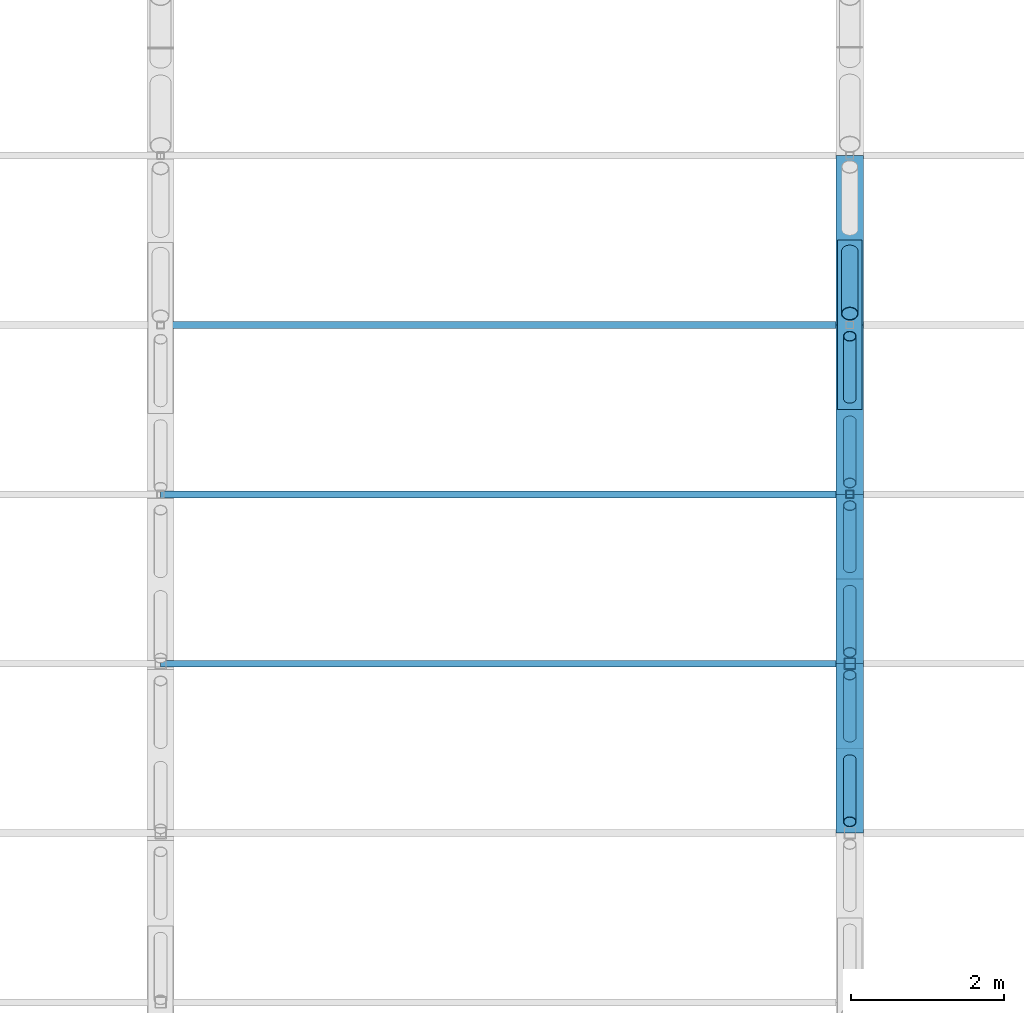
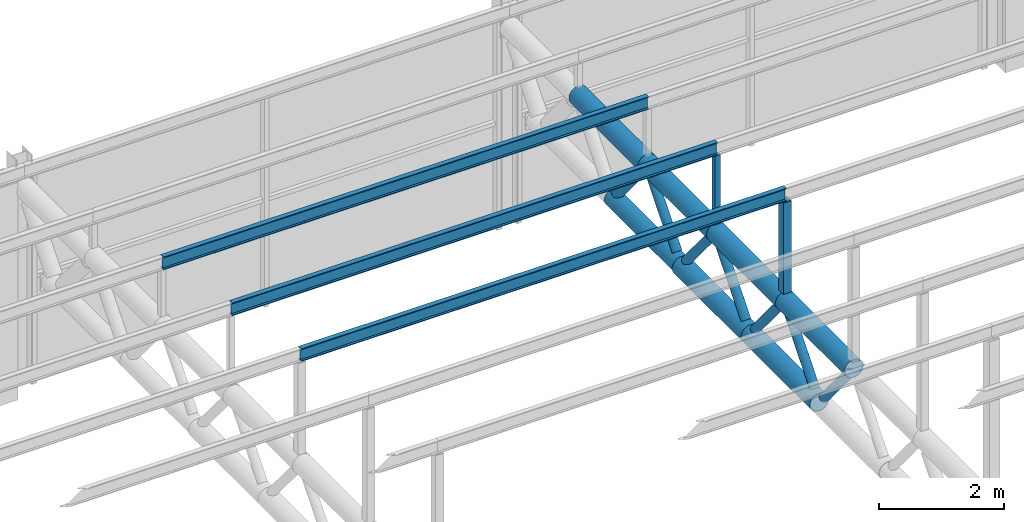
# One storey, part 75 of 138: 19 members.
"""IFC4 building model written with IfcOpenShell, lengths in metres."""

from ifc_helpers import new_model, si_unit, direction, frame, origin, origin_2d, place, context, subcontext, project, spatial, hollow_rectangle, hollow_circle, i_section, extrude, material, material_profile, profile_set, type_object, element, save


model = new_model("IFC4")

# Units and contexts
model_context = context("Model", 3, precision=1e-05, world=origin(), true_north=direction((0.0, 1.0)))
body_context = subcontext(model_context, "Body", "Model", "MODEL_VIEW")
ifc_project = project(units=[si_unit("LENGTHUNIT", "METRE"), si_unit("AREAUNIT", "SQUARE_METRE"), si_unit("VOLUMEUNIT", "CUBIC_METRE"), si_unit("PLANEANGLEUNIT", "RADIAN"), si_unit("MASSUNIT", "GRAM", prefix="KILO")], contexts=[model_context])

# Site, building, storey
site_placement = place(None, origin())
site = spatial("IfcSite", under=ifc_project, at=site_placement, CompositionType="ELEMENT")
building_placement = place(site_placement, origin())
building = spatial("IfcBuilding", under=site, at=building_placement, Name="Corbel Yard City Hall", CompositionType="ELEMENT")
storey_placement = place(building_placement, frame((0.0, 0.0, 10.5)))
storey = spatial("IfcBuildingStorey", under=building, at=storey_placement, Name="L02", CompositionType="ELEMENT", Elevation=10.5)

# Members
ifc_material_1 = material(Name="Steel Grade C350L0", Category="steel")
ifc_material_profile_1 = material_profile(ifc_material_1, hollow_circle(Radius=0.161865234375, WallThickness=0.0126953125, at=origin_2d()), Name="323.9x12.7CHS")
ifc_profile_set_1 = profile_set([ifc_material_profile_1], Name="Steel Grade C350L0")
member_type_1 = type_object("IfcMemberType", Name="Hall roof truss bottom chord 323.9x12.7CHS", PredefinedType="CHORD", material=ifc_profile_set_1)
member_1_placement = place(storey_placement, frame((135.0, 21.31787109375, 2.59228515625), z_axis=(0.0, 1.0, 0.0), x_axis=(-1.0, 0.0, 0.0)))
element("IfcMember", 1, at=member_1_placement, inside=storey, type_object=member_type_1, Name="Hall roof truss bottom chord 323.9x12.7CHS TC2", PredefinedType="CHORD", context=body_context, shape_type="SweptSolid", body=[
    extrude(hollow_circle(Radius=0.161865234375, WallThickness=0.0126953125, at=origin_2d()), origin(), (0.0, 0.0, 1.0), 2.2119140625),
])
ifc_material_profile_2 = material_profile(ifc_material_1, hollow_circle(Radius=0.177734375, WallThickness=0.0126953125, at=origin_2d()), Name="355.6x12.7CHS")
ifc_profile_set_2 = profile_set([ifc_material_profile_2], Name="Steel Grade C350L0")
member_type_2 = type_object("IfcMemberType", Name="Hall roof truss bottom chord 355.6x12.7CHS", PredefinedType="CHORD", material=ifc_profile_set_2)
for number, where, z_axis, x_axis, name in (
    (2, (135.0, 16.89404296875, 2.59228515625), (0.0, 1.0, 0.0), (-1.0, 0.0, 0.0), "Hall roof truss bottom chord 355.6x12.7CHS TC3"),
    (3, (135.0, 19.10595703125, 2.59228515625), (0.0, 1.0, 0.0), (-1.0, 0.0, 0.0), "Hall roof truss bottom chord 355.6x12.7CHS TC3"),
):
    element("IfcMember", number, at=place(storey_placement, frame(where, z_axis=z_axis, x_axis=x_axis)), inside=storey, type_object=member_type_2, Name=name, PredefinedType="CHORD", context=body_context, shape_type="SweptSolid", body=[
        extrude(hollow_circle(Radius=0.177734375, WallThickness=0.0126953125, at=origin_2d()), origin(), (0.0, 0.0, 1.0), 2.2119140625),
    ])
ifc_material_profile_3 = material_profile(ifc_material_1, hollow_circle(Radius=0.084228515625, WallThickness=0.007080078125, at=origin_2d()), Name="168.3x7.1CHS")
ifc_profile_set_3 = profile_set([ifc_material_profile_3], Name="Steel Grade C350L0")
member_type_3 = type_object("IfcMemberType", Name="Hall roof truss diagonal 168.3x7.1CHS", PredefinedType="STRUT", material=ifc_profile_set_3)
member_2_placement = place(storey_placement, frame((135.0, 15.93603515625, 3.744384765625), z_axis=(0.0, 0.639407153698, -0.768868318894), x_axis=(-1.0, 0.0, 0.0)))
element("IfcMember", 4, at=member_2_placement, inside=storey, type_object=member_type_3, Name="Hall roof truss diagonal 168.3x7.1CHS TD3", PredefinedType="STRUT", context=body_context, shape_type="SweptSolid", body=[
    extrude(hollow_circle(Radius=0.084228515625, WallThickness=0.007080078125, at=origin_2d()), origin(), (0.0, 0.0, 1.0), 1.267333984375),
])
for number, where, z_axis, x_axis, name in (
    (5, (135.0, 17.0419921875, 2.77001953125), (0.0, 0.639293245648, 0.768963032966), (-1.0, 0.0, 0.0), "Hall roof truss diagonal 168.3x7.1CHS TD3"),
    (6, (135.0, 18.14794921875, 3.744384765625), (0.0, 0.639293245648, -0.768963032966), (-1.0, 0.0, 0.0), "Hall roof truss diagonal 168.3x7.1CHS TD3"),
):
    element("IfcMember", number, at=place(storey_placement, frame(where, z_axis=z_axis, x_axis=x_axis)), inside=storey, type_object=member_type_3, Name=name, PredefinedType="STRUT", context=body_context, shape_type="SweptSolid", body=[
        extrude(hollow_circle(Radius=0.084228515625, WallThickness=0.007080078125, at=origin_2d()), origin(), (0.0, 0.0, 1.0), 1.26708984375),
    ])
for number, where, z_axis, x_axis, name in (
    (7, (135.0, 19.253662109375, 2.77001953125), (0.0, 0.639407153698, 0.768868318894), (-1.0, 0.0, 0.0), "Hall roof truss diagonal 168.3x7.1CHS TD3"),
    (8, (135.0, 20.359619140625, 3.744384765625), (0.0, 0.639407153698, -0.768868318894), (-1.0, 0.0, 0.0), "Hall roof truss diagonal 168.3x7.1CHS TD3"),
    (9, (135.0, 21.465576171875, 2.77001953125), (0.0, 0.639407153698, 0.768868318894), (-1.0, 0.0, 0.0), "Hall roof truss diagonal 168.3x7.1CHS TD3"),
):
    element("IfcMember", number, at=place(storey_placement, frame(where, z_axis=z_axis, x_axis=x_axis)), inside=storey, type_object=member_type_3, Name=name, PredefinedType="STRUT", context=body_context, shape_type="SweptSolid", body=[
        extrude(hollow_circle(Radius=0.084228515625, WallThickness=0.007080078125, at=origin_2d()), origin(), (0.0, 0.0, 1.0), 1.267333984375),
    ])
ifc_material_profile_4 = material_profile(ifc_material_1, hollow_circle(Radius=0.109619140625, WallThickness=0.00830078125, at=origin_2d()), Name="219.1x8.2CHS")
ifc_profile_set_4 = profile_set([ifc_material_profile_4], Name="Steel Grade C350L0")
member_type_4 = type_object("IfcMemberType", Name="Hall roof truss diagonal 219.1x8.2CHS", PredefinedType="STRUT", material=ifc_profile_set_4)
member_3_placement = place(storey_placement, frame((135.0, 22.571533203125, 3.744384765625), z_axis=(0.0, 0.639407153698, -0.768868318894), x_axis=(-1.0, 0.0, 0.0)))
element("IfcMember", 10, at=member_3_placement, inside=storey, type_object=member_type_4, Name="Hall roof truss diagonal 219.1x8.2CHS TD2", PredefinedType="STRUT", context=body_context, shape_type="SweptSolid", body=[
    extrude(hollow_circle(Radius=0.109619140625, WallThickness=0.00830078125, at=origin_2d()), origin(), (0.0, 0.0, 1.0), 1.267333984375),
])
ifc_material_profile_5 = material_profile(ifc_material_1, hollow_circle(Radius=0.177734375, WallThickness=0.0126953125, at=origin_2d()), Name="355.6x12.7CHS")
ifc_profile_set_5 = profile_set([ifc_material_profile_5], Name="Steel Grade C350L0")
member_type_5 = type_object("IfcMemberType", Name="Hall roof truss top chord 355.6x12.7CHS", PredefinedType="CHORD", material=ifc_profile_set_5)
for number, where, z_axis, x_axis, name in (
    (11, (135.0, 15.7880859375, 3.922119140625), (0.0, 1.0, 0.0), (-1.0, 0.0, 0.0), "Hall roof truss top chord 355.6x12.7CHS TC1"),
    (12, (135.0, 18.0, 3.922119140625), (0.0, 1.0, 0.0), (-1.0, 0.0, 0.0), "Hall roof truss top chord 355.6x12.7CHS TC1"),
    (13, (135.0, 20.2119140625, 3.922119140625), (0.0, 1.0, 0.0), (-1.0, 0.0, 0.0), "Hall roof truss top chord 355.6x12.7CHS TC1"),
    (14, (135.0, 22.423828125, 3.922119140625), (0.0, 1.0, 0.0), (-1.0, 0.0, 0.0), "Hall roof truss top chord 355.6x12.7CHS TC1"),
):
    element("IfcMember", number, at=place(storey_placement, frame(where, z_axis=z_axis, x_axis=x_axis)), inside=storey, type_object=member_type_5, Name=name, PredefinedType="CHORD", context=body_context, shape_type="SweptSolid", body=[
        extrude(hollow_circle(Radius=0.177734375, WallThickness=0.0126953125, at=origin_2d()), origin(), (0.0, 0.0, 1.0), 2.2119140625),
    ])
ifc_material_2 = material(Name="Steel Grade 300 (300 MPa yield)", Category="steel")
ifc_material_profile_6 = material_profile(ifc_material_2, i_section(OverallWidth=0.090087890625, OverallDepth=0.25, WebThickness=0.008056640625, FlangeThickness=0.014892578125, at=origin_2d()), Name="250PFC")
ifc_profile_set_6 = profile_set([ifc_material_profile_6], Name="Steel Grade 300 (300 MPa yield)")
member_type_6 = type_object("IfcMemberType", Name="Purlin 250PFC", PredefinedType="PURLIN", material=ifc_profile_set_6)
for number, where, z_axis, x_axis, name in (
    (15, (126.0, 18.0, 6.01611328125), (1.0, 0.0, 0.0), (0.0, 1.0, 0.0), "Purlin 250PFC PU1"),
    (16, (126.0, 20.2119140625, 5.57373046875), (1.0, 0.0, 0.0), (0.0, 1.0, 0.0), "Purlin 250PFC PU1"),
    (17, (126.0, 22.423828125, 5.13134765625), (1.0, 0.0, 0.0), (0.0, 1.0, 0.0), "Purlin 250PFC PU1"),
):
    element("IfcMember", number, at=place(storey_placement, frame(where, z_axis=z_axis, x_axis=x_axis)), inside=storey, type_object=member_type_6, Name=name, PredefinedType="PURLIN", context=body_context, shape_type="SweptSolid", body=[
        extrude(i_section(OverallWidth=0.090087890625, OverallDepth=0.25, WebThickness=0.008056640625, FlangeThickness=0.014892578125, at=origin_2d()), origin(), (0.0, 0.0, 1.0), 9.0),
    ])
ifc_material_3 = material(Name="Steel Grade C450L0", Category="steel")
ifc_material_profile_7 = material_profile(ifc_material_3, hollow_rectangle(XDim=0.10009765625, YDim=0.10009765625, WallThickness=0.006103515625, at=origin_2d()), Name="100x100x6.0SHS")
ifc_profile_set_7 = profile_set([ifc_material_profile_7], Name="Steel Grade C450L0")
member_type_7 = type_object("IfcMemberType", Name="Roof post 100x100x6.0SHS", PredefinedType="POST", material=ifc_profile_set_7)
member_4_placement = place(storey_placement, frame((135.0, 20.2119140625, 4.10009765625), z_axis=(0.0, 0.0, 1.0), x_axis=(1.0, 0.0, 0.0)))
element("IfcMember", 18, at=member_4_placement, inside=storey, type_object=member_type_7, Name="Roof post 100x100x6.0SHS RP3", PredefinedType="POST", context=body_context, shape_type="SweptSolid", body=[
    extrude(hollow_rectangle(XDim=0.10009765625, YDim=0.10009765625, WallThickness=0.006103515625, at=origin_2d()), origin(), (0.0, 0.0, 1.0), 1.3486328125),
])
ifc_material_profile_8 = material_profile(ifc_material_3, hollow_rectangle(XDim=0.14990234375, YDim=0.14990234375, WallThickness=0.009033203125, at=origin_2d()), Name="150x150x9.0SHS")
ifc_profile_set_8 = profile_set([ifc_material_profile_8], Name="Steel Grade C450L0")
member_type_8 = type_object("IfcMemberType", Name="Roof post 150x150x9.0SHS", PredefinedType="POST", material=ifc_profile_set_8)
member_5_placement = place(storey_placement, frame((135.0, 18.0, 4.10009765625), z_axis=(0.0, 0.0, 1.0), x_axis=(1.0, 0.0, 0.0)))
element("IfcMember", 19, at=member_5_placement, inside=storey, type_object=member_type_8, Name="Roof post 150x150x9.0SHS RP2", PredefinedType="POST", context=body_context, shape_type="SweptSolid", body=[
    extrude(hollow_rectangle(XDim=0.14990234375, YDim=0.14990234375, WallThickness=0.009033203125, at=origin_2d()), origin(), (0.0, 0.0, 1.0), 1.791015625),
])

save(model, "model.ifc")
